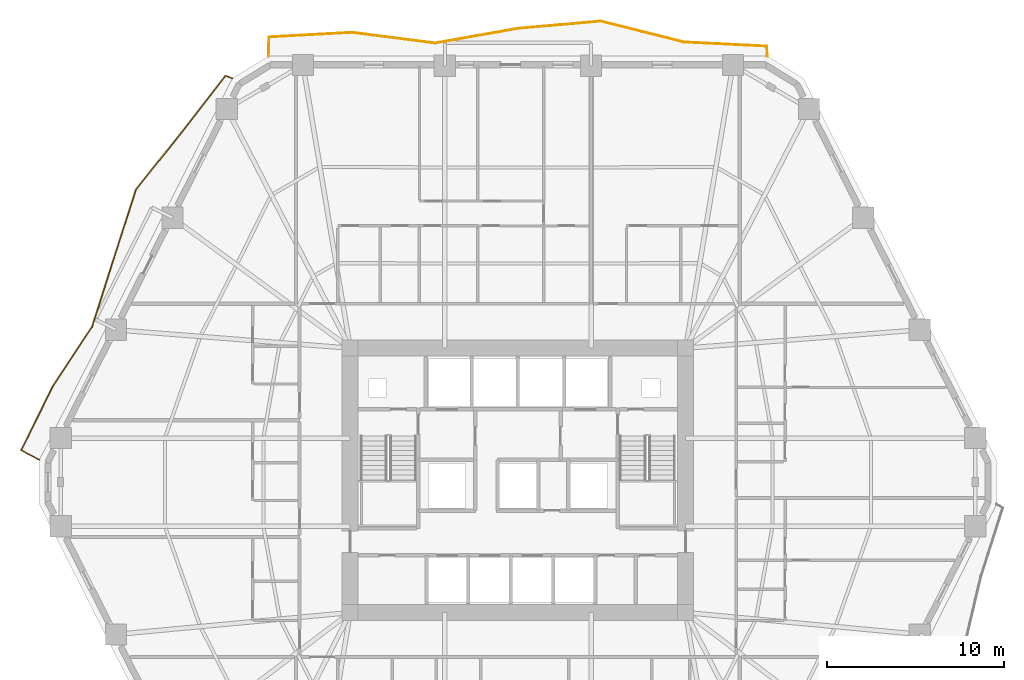
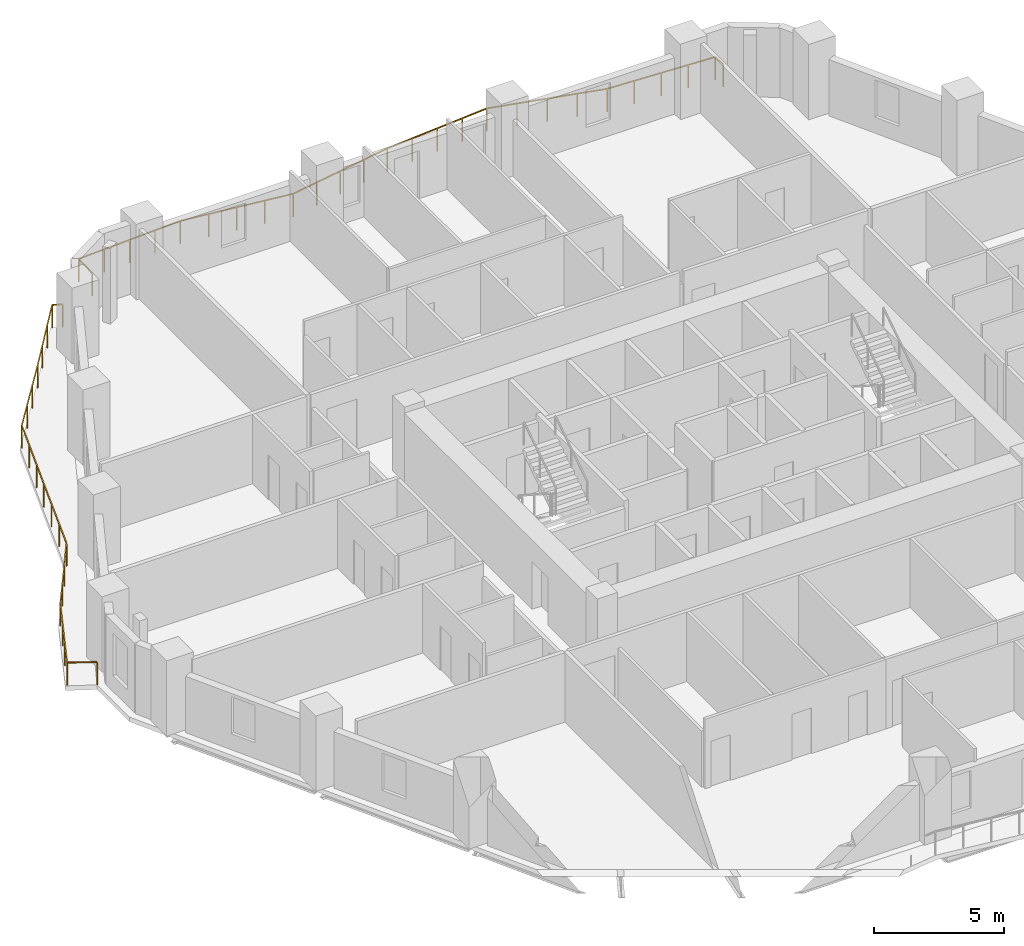
# One storey, part 12 of 12: 2 railings.
"""IFC4 building model written with IfcOpenShell, lengths in metres."""

from ifc_helpers import new_model, si_unit, direction, frame, origin, origin_2d, place, context, subcontext, project, spatial, rectangle, extrude, material, type_object, element, save


model = new_model("IFC4")

# Units and contexts
model_context = context("Model", 3, precision=1e-05, world=origin(), true_north=direction((0.0, 1.0)))
body_context = subcontext(model_context, "Body", "Model", "MODEL_VIEW")
ifc_project = project(units=[si_unit("LENGTHUNIT", "METRE"), si_unit("AREAUNIT", "SQUARE_METRE"), si_unit("VOLUMEUNIT", "CUBIC_METRE"), si_unit("PLANEANGLEUNIT", "RADIAN"), si_unit("MASSUNIT", "GRAM", prefix="KILO")], contexts=[model_context])

# Site, building, storey
site_placement = place(None, origin())
site = spatial("IfcSite", under=ifc_project, at=site_placement, CompositionType="ELEMENT")
building_placement = place(site_placement, origin())
building = spatial("IfcBuilding", under=site, at=building_placement, Name="Cinnabar Lancet Tower", CompositionType="ELEMENT")
storey_placement = place(building_placement, frame((0.0, 0.0, 71.050048828125)))
storey = spatial("IfcBuildingStorey", under=building, at=storey_placement, Name="L18", CompositionType="ELEMENT", Elevation=71.050048828125)

# Railings
ifc_material = material(Name="Laminated safety glass and bronze stainless steel balustrade", Category="steel")
railing_type = type_object("IfcRailingType", Name="ENV-RLG-BAL-1100", PredefinedType="BALUSTRADE", material=ifc_material)
railing_1_placement = place(storey_placement, frame((46.4560546875, 49.800048828125, 0.0)))
element("IfcRailing", 1, at=railing_1_placement, inside=storey, type_object=railing_type, Name="L18 Face 4 Wave Balcony Balustrade", PredefinedType="BALUSTRADE", context=body_context, shape_type="SweptSolid", body=[
    extrude(rectangle(XDim=0.048095703125, YDim=0.048095703125, at=origin_2d()), frame((0.0, 0.0, 1.076171875), z_axis=(-0.062324395536, 0.998055945186, 0.0), x_axis=(-0.998055945186, -0.062324395536, 0.0)), (0.0, 0.0, 1.0), 0.56396484375),
    extrude(rectangle(XDim=0.048095703125, YDim=0.048095703125, at=origin_2d()), frame((-0.03515625, 0.56298828125, 1.076171875), z_axis=(-0.998781820457, 0.049344453841, 0.0), x_axis=(-0.049344453841, -0.998781820457, 0.0)), (0.0, 0.0, 1.0), 4.680419921875),
    extrude(rectangle(XDim=0.048095703125, YDim=0.048095703125, at=origin_2d()), frame((-4.7099609375, 0.7939453125, 1.076171875), z_axis=(-0.969666836814, 0.244430410513, 0.0), x_axis=(-0.244430410513, -0.969666836814, 0.0)), (0.0, 0.0, 1.0), 4.8193359375),
    extrude(rectangle(XDim=0.048095703125, YDim=0.048095703125, at=origin_2d()), frame((-9.383056640625, 1.971923828125, 1.076171875), z_axis=(-0.996174882909, -0.087381935552, 0.0), x_axis=(0.087381935552, -0.996174882909, 0.0)), (0.0, 0.0, 1.0), 4.69091796875),
    extrude(rectangle(XDim=0.048095703125, YDim=0.048095703125, at=origin_2d()), frame((-14.05615234375, 1.56201171875, 1.076171875), z_axis=(-0.984721330457, -0.174137593137, 0.0), x_axis=(0.174137593137, -0.984721330457, 0.0)), (0.0, 0.0, 1.0), 4.744384765625),
    extrude(rectangle(XDim=0.048095703125, YDim=0.048095703125, at=origin_2d()), frame((-18.72802734375, 0.73583984375, 1.076171875), z_axis=(-0.991862053108, 0.127317192884, 0.0), x_axis=(-0.127317192884, -0.991862053108, 0.0)), (0.0, 0.0, 1.0), 4.71337890625),
    extrude(rectangle(XDim=0.048095703125, YDim=0.048095703125, at=origin_2d()), frame((-23.403076171875, 1.3359375, 1.076171875), z_axis=(-0.998528416161, -0.054231006988, 0.0), x_axis=(0.054231006988, -0.998528416161, 0.0)), (0.0, 0.0, 1.0), 4.681884765625),
    extrude(rectangle(XDim=0.048095703125, YDim=0.048095703125, at=origin_2d()), frame((-28.078125, 1.08203125, 1.076171875), z_axis=(-0.03134740261, -0.999508549413, 0.0), x_axis=(0.999508549413, -0.03134740261, 0.0)), (0.0, 0.0, 1.0), 1.08251953125),
    extrude(rectangle(XDim=0.0419921875, YDim=0.0419921875, at=origin_2d()), origin(), (0.0, 0.0, 1.0), 1.052001953125),
    extrude(rectangle(XDim=0.0419921875, YDim=0.0419921875, at=origin_2d()), frame((-0.03515625, 0.56298828125, 0.0)), (0.0, 0.0, 1.0), 1.052001953125),
    extrude(rectangle(XDim=0.0419921875, YDim=0.0419921875, at=origin_2d()), frame((-1.203857421875, 0.62060546875, 0.0)), (0.0, 0.0, 1.0), 1.052001953125),
    extrude(rectangle(XDim=0.0419921875, YDim=0.0419921875, at=origin_2d()), frame((-2.37255859375, 0.678466796875, 0.0)), (0.0, 0.0, 1.0), 1.052001953125),
    extrude(rectangle(XDim=0.0419921875, YDim=0.0419921875, at=origin_2d()), frame((-3.541259765625, 0.736328125, 0.0)), (0.0, 0.0, 1.0), 1.052001953125),
    extrude(rectangle(XDim=0.0419921875, YDim=0.0419921875, at=origin_2d()), frame((-4.7099609375, 0.7939453125, 0.0)), (0.0, 0.0, 1.0), 1.052001953125),
    extrude(rectangle(XDim=0.0419921875, YDim=0.0419921875, at=origin_2d()), frame((-5.878173828125, 1.08837890625, 0.0)), (0.0, 0.0, 1.0), 1.052001953125),
    extrude(rectangle(XDim=0.0419921875, YDim=0.0419921875, at=origin_2d()), frame((-7.04638671875, 1.3828125, 0.0)), (0.0, 0.0, 1.0), 1.052001953125),
    extrude(rectangle(XDim=0.0419921875, YDim=0.0419921875, at=origin_2d()), frame((-8.21484375, 1.677490234375, 0.0)), (0.0, 0.0, 1.0), 1.052001953125),
    extrude(rectangle(XDim=0.0419921875, YDim=0.0419921875, at=origin_2d()), frame((-9.383056640625, 1.971923828125, 0.0)), (0.0, 0.0, 1.0), 1.052001953125),
    extrude(rectangle(XDim=0.0419921875, YDim=0.0419921875, at=origin_2d()), frame((-10.55126953125, 1.869384765625, 0.0)), (0.0, 0.0, 1.0), 1.052001953125),
    extrude(rectangle(XDim=0.0419921875, YDim=0.0419921875, at=origin_2d()), frame((-11.7197265625, 1.76708984375, 0.0)), (0.0, 0.0, 1.0), 1.052001953125),
    extrude(rectangle(XDim=0.0419921875, YDim=0.0419921875, at=origin_2d()), frame((-12.887939453125, 1.66455078125, 0.0)), (0.0, 0.0, 1.0), 1.052001953125),
    extrude(rectangle(XDim=0.0419921875, YDim=0.0419921875, at=origin_2d()), frame((-14.05615234375, 1.56201171875, 0.0)), (0.0, 0.0, 1.0), 1.052001953125),
    extrude(rectangle(XDim=0.0419921875, YDim=0.0419921875, at=origin_2d()), frame((-15.22412109375, 1.35546875, 0.0)), (0.0, 0.0, 1.0), 1.052001953125),
    extrude(rectangle(XDim=0.0419921875, YDim=0.0419921875, at=origin_2d()), frame((-16.39208984375, 1.14892578125, 0.0)), (0.0, 0.0, 1.0), 1.052001953125),
    extrude(rectangle(XDim=0.0419921875, YDim=0.0419921875, at=origin_2d()), frame((-17.56005859375, 0.9423828125, 0.0)), (0.0, 0.0, 1.0), 1.052001953125),
    extrude(rectangle(XDim=0.0419921875, YDim=0.0419921875, at=origin_2d()), frame((-18.72802734375, 0.73583984375, 0.0)), (0.0, 0.0, 1.0), 1.052001953125),
    extrude(rectangle(XDim=0.0419921875, YDim=0.0419921875, at=origin_2d()), frame((-19.896728515625, 0.8857421875, 0.0)), (0.0, 0.0, 1.0), 1.052001953125),
    extrude(rectangle(XDim=0.0419921875, YDim=0.0419921875, at=origin_2d()), frame((-21.0654296875, 1.035888671875, 0.0)), (0.0, 0.0, 1.0), 1.052001953125),
    extrude(rectangle(XDim=0.0419921875, YDim=0.0419921875, at=origin_2d()), frame((-22.234375, 1.18603515625, 0.0)), (0.0, 0.0, 1.0), 1.052001953125),
    extrude(rectangle(XDim=0.0419921875, YDim=0.0419921875, at=origin_2d()), frame((-23.403076171875, 1.3359375, 0.0)), (0.0, 0.0, 1.0), 1.052001953125),
    extrude(rectangle(XDim=0.0419921875, YDim=0.0419921875, at=origin_2d()), frame((-24.57177734375, 1.2724609375, 0.0)), (0.0, 0.0, 1.0), 1.052001953125),
    extrude(rectangle(XDim=0.0419921875, YDim=0.0419921875, at=origin_2d()), frame((-25.74072265625, 1.208984375, 0.0)), (0.0, 0.0, 1.0), 1.052001953125),
    extrude(rectangle(XDim=0.0419921875, YDim=0.0419921875, at=origin_2d()), frame((-26.909423828125, 1.1455078125, 0.0)), (0.0, 0.0, 1.0), 1.052001953125),
    extrude(rectangle(XDim=0.0419921875, YDim=0.0419921875, at=origin_2d()), frame((-28.078125, 1.08203125, 0.0)), (0.0, 0.0, 1.0), 1.052001953125),
    extrude(rectangle(XDim=0.0419921875, YDim=0.0419921875, at=origin_2d()), frame((-28.112060546875, 0.0, 0.0)), (0.0, 0.0, 1.0), 1.052001953125),
])
railing_2_placement = place(storey_placement, frame((16.31201171875, 48.551025390625, 0.0)))
element("IfcRailing", 2, at=railing_2_placement, inside=storey, type_object=railing_type, Name="L18 Face 5 Wave Balcony Balustrade", PredefinedType="BALUSTRADE", context=body_context, shape_type="SweptSolid", body=[
    extrude(rectangle(XDim=0.048095703125, YDim=0.048095703125, at=origin_2d()), frame((0.0, 0.0, 1.076171875), z_axis=(-0.925184761544, 0.379517004897, 0.0), x_axis=(-0.379517004897, -0.925184761544, 0.0)), (0.0, 0.0, 1.0), 0.408447265625),
    extrude(rectangle(XDim=0.048095703125, YDim=0.048095703125, at=origin_2d()), frame((-0.3779296875, 0.155029296875, 1.076171875), z_axis=(-0.613257141208, -0.789883332371, 0.0), x_axis=(0.789883332371, -0.613257141208, 0.0)), (0.0, 0.0, 1.0), 4.081787109375),
    extrude(rectangle(XDim=0.048095703125, YDim=0.048095703125, at=origin_2d()), frame((-2.881103515625, -3.069091796875, 1.076171875), z_axis=(-0.623887091665, -0.781514489215, 0.0), x_axis=(0.781514489215, -0.623887091665, 0.0)), (0.0, 0.0, 1.0), 4.092041015625),
    extrude(rectangle(XDim=0.048095703125, YDim=0.048095703125, at=origin_2d()), frame((-5.43408203125, -6.26708984375, 1.076171875), z_axis=(-0.30615333894, -0.951982212573, 0.0), x_axis=(0.951982212573, -0.30615333894, 0.0)), (0.0, 0.0, 1.0), 4.056640625),
    extrude(rectangle(XDim=0.048095703125, YDim=0.048095703125, at=origin_2d()), frame((-6.676025390625, -10.12890625, 1.076171875), z_axis=(-0.302875830385, -0.953030026478, 0.0), x_axis=(0.953030026478, -0.302875830385, 0.0)), (0.0, 0.0, 1.0), 4.057861328125),
    extrude(rectangle(XDim=0.048095703125, YDim=0.048095703125, at=origin_2d()), frame((-7.905029296875, -13.99609375, 1.076171875), z_axis=(-0.551020170144, -0.834491924524, 0.0), x_axis=(0.834491924524, -0.551020170144, 0.0)), (0.0, 0.0, 1.0), 4.032470703125),
    extrude(rectangle(XDim=0.048095703125, YDim=0.048095703125, at=origin_2d()), frame((-10.126953125, -17.361083984375, 1.076171875), z_axis=(-0.442406597778, -0.896814586324, 0.0), x_axis=(0.896814586324, -0.442406597778, 0.0)), (0.0, 0.0, 1.0), 4.007568359375),
    extrude(rectangle(XDim=0.048095703125, YDim=0.048095703125, at=origin_2d()), frame((-11.89990234375, -20.955078125, 1.076171875), z_axis=(0.881276014309, -0.4726019325, 0.0), x_axis=(0.4726019325, 0.881276014309, 0.0)), (0.0, 0.0, 1.0), 1.1572265625),
    extrude(rectangle(XDim=0.0419921875, YDim=0.0419921875, at=origin_2d()), origin(), (0.0, 0.0, 1.0), 1.052001953125),
    extrude(rectangle(XDim=0.0419921875, YDim=0.0419921875, at=origin_2d()), frame((-0.3779296875, 0.155029296875, 0.0)), (0.0, 0.0, 1.0), 1.052001953125),
    extrude(rectangle(XDim=0.0419921875, YDim=0.0419921875, at=origin_2d()), frame((-1.21240234375, -0.919677734375, 0.0)), (0.0, 0.0, 1.0), 1.052001953125),
    extrude(rectangle(XDim=0.0419921875, YDim=0.0419921875, at=origin_2d()), frame((-2.046630859375, -1.994384765625, 0.0)), (0.0, 0.0, 1.0), 1.052001953125),
    extrude(rectangle(XDim=0.0419921875, YDim=0.0419921875, at=origin_2d()), frame((-2.881103515625, -3.069091796875, 0.0)), (0.0, 0.0, 1.0), 1.052001953125),
    extrude(rectangle(XDim=0.0419921875, YDim=0.0419921875, at=origin_2d()), frame((-3.732177734375, -4.135009765625, 0.0)), (0.0, 0.0, 1.0), 1.052001953125),
    extrude(rectangle(XDim=0.0419921875, YDim=0.0419921875, at=origin_2d()), frame((-4.5830078125, -5.201171875, 0.0)), (0.0, 0.0, 1.0), 1.052001953125),
    extrude(rectangle(XDim=0.0419921875, YDim=0.0419921875, at=origin_2d()), frame((-5.43408203125, -6.26708984375, 0.0)), (0.0, 0.0, 1.0), 1.052001953125),
    extrude(rectangle(XDim=0.0419921875, YDim=0.0419921875, at=origin_2d()), frame((-5.84814453125, -7.554443359375, 0.0)), (0.0, 0.0, 1.0), 1.052001953125),
    extrude(rectangle(XDim=0.0419921875, YDim=0.0419921875, at=origin_2d()), frame((-6.261962890625, -8.841552734375, 0.0)), (0.0, 0.0, 1.0), 1.052001953125),
    extrude(rectangle(XDim=0.0419921875, YDim=0.0419921875, at=origin_2d()), frame((-6.676025390625, -10.12890625, 0.0)), (0.0, 0.0, 1.0), 1.052001953125),
    extrude(rectangle(XDim=0.0419921875, YDim=0.0419921875, at=origin_2d()), frame((-7.085693359375, -11.41796875, 0.0)), (0.0, 0.0, 1.0), 1.052001953125),
    extrude(rectangle(XDim=0.0419921875, YDim=0.0419921875, at=origin_2d()), frame((-7.495361328125, -12.70703125, 0.0)), (0.0, 0.0, 1.0), 1.052001953125),
    extrude(rectangle(XDim=0.0419921875, YDim=0.0419921875, at=origin_2d()), frame((-7.905029296875, -13.99609375, 0.0)), (0.0, 0.0, 1.0), 1.052001953125),
    extrude(rectangle(XDim=0.0419921875, YDim=0.0419921875, at=origin_2d()), frame((-8.645751953125, -15.11767578125, 0.0)), (0.0, 0.0, 1.0), 1.052001953125),
    extrude(rectangle(XDim=0.0419921875, YDim=0.0419921875, at=origin_2d()), frame((-9.38623046875, -16.239501953125, 0.0)), (0.0, 0.0, 1.0), 1.052001953125),
    extrude(rectangle(XDim=0.0419921875, YDim=0.0419921875, at=origin_2d()), frame((-10.126953125, -17.361083984375, 0.0)), (0.0, 0.0, 1.0), 1.052001953125),
    extrude(rectangle(XDim=0.0419921875, YDim=0.0419921875, at=origin_2d()), frame((-10.718017578125, -18.55908203125, 0.0)), (0.0, 0.0, 1.0), 1.052001953125),
    extrude(rectangle(XDim=0.0419921875, YDim=0.0419921875, at=origin_2d()), frame((-11.308837890625, -19.757080078125, 0.0)), (0.0, 0.0, 1.0), 1.052001953125),
    extrude(rectangle(XDim=0.0419921875, YDim=0.0419921875, at=origin_2d()), frame((-11.89990234375, -20.955078125, 0.0)), (0.0, 0.0, 1.0), 1.052001953125),
    extrude(rectangle(XDim=0.0419921875, YDim=0.0419921875, at=origin_2d()), frame((-10.880126953125, -21.501953125, 0.0)), (0.0, 0.0, 1.0), 1.052001953125),
])

save(model, "model.ifc")
